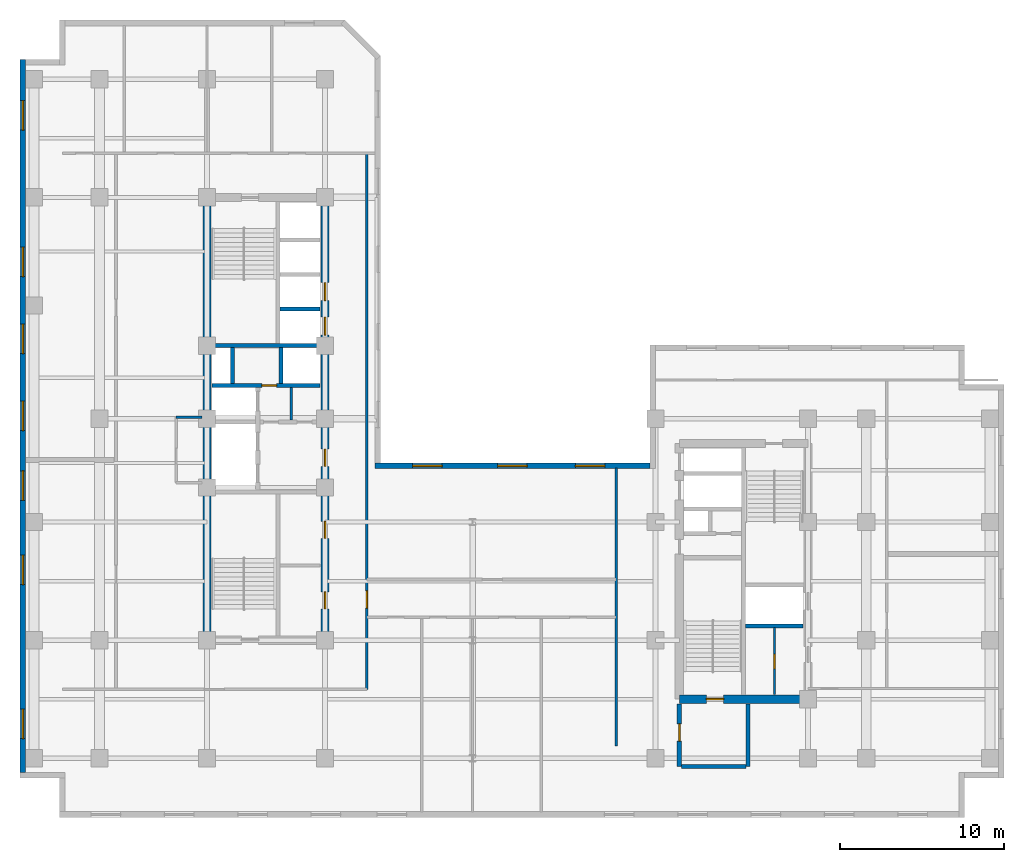
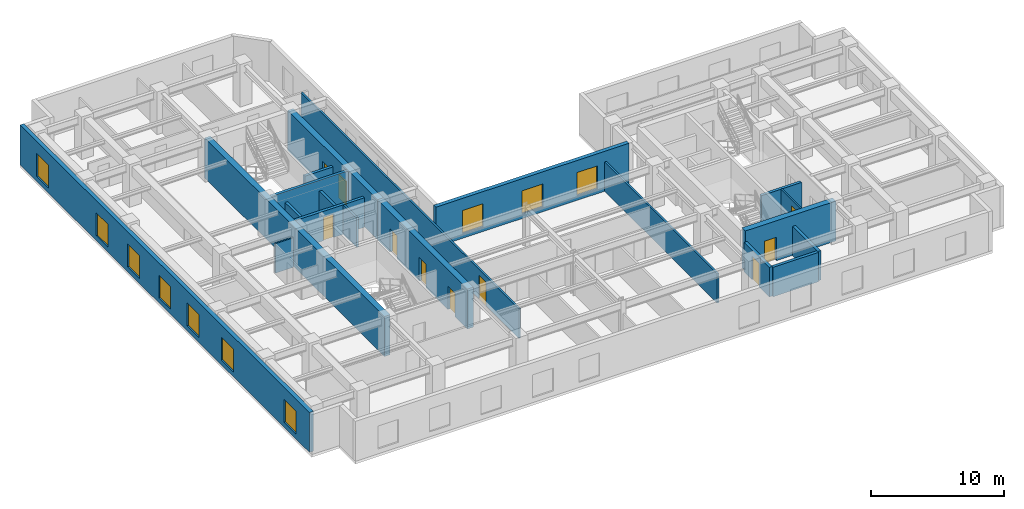
# One storey, part 4 of 9: 20 walls, 10 doors, 10 windows, 20 openings.
"""IFC4 building model written with IfcOpenShell, lengths in metres."""

from ifc_helpers import new_model, entity, si_unit, converted_unit, direction, frame, origin_with_axes, origin_2d_with_axis, place, context, subcontext, project, spatial, polyline, rectangle, outline, extrude, material, layer, layer_set, type_object, element, fill, save


model = new_model("IFC4")

# Units and contexts
model_context = context("Model", 3, precision=1e-05, world=origin_with_axes(), true_north=direction((0.0, 1.0)))
body_context = subcontext(model_context, "Body", "Model", "MODEL_VIEW")
ifc_project = project(units=[si_unit("LENGTHUNIT", "METRE"), si_unit("AREAUNIT", "SQUARE_METRE"), si_unit("VOLUMEUNIT", "CUBIC_METRE"), converted_unit("PLANEANGLEUNIT", "DEGREE", entity("IfcPlaneAngleMeasure", 0.017453292519943295), si_unit("PLANEANGLEUNIT", "RADIAN"), dimensions=[0, 0, 0, 0, 0, 0, 0]), si_unit("MASSUNIT", "GRAM", prefix="KILO"), si_unit("THERMODYNAMICTEMPERATUREUNIT", "KELVIN")], contexts=[model_context])

# Site, building, storey
site_placement = place(None, origin_with_axes())
site = spatial("IfcSite", under=ifc_project, at=site_placement, CompositionType="ELEMENT")
building_placement = place(site_placement, origin_with_axes())
building = spatial("IfcBuilding", under=site, at=building_placement, Name="Varnlund Millrace Tower", CompositionType="ELEMENT")
storey_placement = place(building_placement, frame((0.0, 0.0, 140.7), z_axis=(0.0, 0.0, 1.0), x_axis=(1.0, 0.0, 0.0)))
storey = spatial("IfcBuildingStorey", under=building, at=storey_placement, Name="L34", CompositionType="ELEMENT", Elevation=140.7)

# Wall
ifc_material_1 = material(Name="Concrete C70/85", Category="concrete")
ifc_layer_1 = layer(ifc_material_1, 0.5, Name="Concrete C70/85")
ifc_layer_set_1 = layer_set([ifc_layer_1], Name="Concrete C70/85")
wall_type_1 = type_object("IfcWallType", Name="Type-CoreWall-Shear-500-C70", PredefinedType="SHEAR", material=ifc_layer_set_1)
wall_1_placement = place(storey_placement, frame((11.4, 10.8, 0.0), z_axis=(0.0, 0.0, 1.0), x_axis=(0.0, 1.0, 0.0)))
element("IfcWall", 1, at=wall_1_placement, inside=storey, type_object=wall_type_1, Name="Type-CoreWall-Shear-500-C70", PredefinedType="SHEAR", context=body_context, shape_type="SweptSolid", body=[
    extrude(outline(polyline([(0.0, -0.25), (27.0, -0.25), (27.0, 0.25), (0.0, 0.25), (0.0, -0.25)])), origin_with_axes(), (0.0, 0.0, 1.0), 3.66),
])

# Wall, openings, doors
wall_2_placement = place(storey_placement, frame((18.6, 10.8, 0.0), z_axis=(0.0, 0.0, 1.0), x_axis=(0.0, 1.0, 0.0)))
wall_2 = element("IfcWall", 2, at=wall_2_placement, inside=storey, type_object=wall_type_1, Name="Type-CoreWall-Shear-500-C70", PredefinedType="SHEAR", context=body_context, shape_type="SweptSolid", body=[
    extrude(outline(polyline([(0.0, -0.25), (13.5, -0.25), (13.5, 0.25), (0.0, 0.25), (0.0, -0.25)])), origin_with_axes(), (0.0, 0.0, 1.0), 3.66),
])
opening_1_placement = place(wall_2_placement, frame((11.125, 0.0, 0.0), z_axis=(0.0, 0.0, 1.0), x_axis=(1.0, 0.0, 0.0)))
opening_1 = element("IfcOpeningElement", 3, at=opening_1_placement, cuts=wall_2, Name="Opening L34:DR-FFLOB-A", PredefinedType="OPENING", context=body_context, shape_type="SweptSolid", body=[
    extrude(rectangle(XDim=1.05, YDim=0.52, at=origin_2d_with_axis()), origin_with_axes(), (0.0, 0.0, 1.0), 2.15),
])
opening_2_placement = place(wall_2_placement, frame((2.425, 0.0, 0.0), z_axis=(0.0, 0.0, 1.0), x_axis=(1.0, 0.0, 0.0)))
opening_2 = element("IfcOpeningElement", 4, at=opening_2_placement, cuts=wall_2, Name="Opening L34:DR-RECL-A1-1", PredefinedType="OPENING", context=body_context, shape_type="SweptSolid", body=[
    extrude(rectangle(XDim=1.05, YDim=0.52, at=origin_2d_with_axis()), origin_with_axes(), (0.0, 0.0, 1.0), 2.15),
])
opening_3_placement = place(wall_2_placement, frame((6.725, 0.0, 0.0), z_axis=(0.0, 0.0, 1.0), x_axis=(1.0, 0.0, 0.0)))
opening_3 = element("IfcOpeningElement", 5, at=opening_3_placement, cuts=wall_2, Name="Opening L34:DR-RECL-A1-2", PredefinedType="OPENING", context=body_context, shape_type="SweptSolid", body=[
    extrude(rectangle(XDim=1.05, YDim=0.52, at=origin_2d_with_axis()), origin_with_axes(), (0.0, 0.0, 1.0), 2.15),
])
ifc_material_2 = material(Name="Smoke-barrier hollow steel fire door", Category="steel")
door_type_1 = type_object("IfcDoorType", Name="Type-FireDoor-Lobby-1050X2150", OperationType="NOTDEFINED", PredefinedType="DOOR", material=ifc_material_2)
door_1_placement = place(wall_2_placement, frame((11.125, 0.0, 0.0), z_axis=(0.0, 0.0, 1.0), x_axis=(1.0, 0.0, 0.0)))
door_1 = element("IfcDoor", 6, at=door_1_placement, inside=storey, type_object=door_type_1, Name="Type-FireDoor-Lobby-1050X2150", OperationType="SINGLE_SWING_LEFT", OverallHeight=2.15, OverallWidth=1.05, PredefinedType="DOOR", context=body_context, shape_type="SweptSolid", body=[
    extrude(rectangle(XDim=1.05, YDim=0.09, at=origin_2d_with_axis()), origin_with_axes(), (0.0, 0.0, 1.0), 2.15),
])
fill(opening_1, door_1)
door_2_placement = place(wall_2_placement, frame((2.425, 0.0, 0.0), z_axis=(0.0, 0.0, 1.0), x_axis=(1.0, 0.0, 0.0)))
door_2 = element("IfcDoor", 7, at=door_2_placement, inside=storey, type_object=door_type_1, Name="Type-FireDoor-Lobby-1050X2150", OperationType="SINGLE_SWING_LEFT", OverallHeight=2.15, OverallWidth=1.05, PredefinedType="DOOR", context=body_context, shape_type="SweptSolid", body=[
    extrude(rectangle(XDim=1.05, YDim=0.09, at=origin_2d_with_axis()), origin_with_axes(), (0.0, 0.0, 1.0), 2.15),
])
fill(opening_2, door_2)
door_3_placement = place(wall_2_placement, frame((6.725, 0.0, 0.0), z_axis=(0.0, 0.0, 1.0), x_axis=(1.0, 0.0, 0.0)))
door_3 = element("IfcDoor", 8, at=door_3_placement, inside=storey, type_object=door_type_1, Name="Type-FireDoor-Lobby-1050X2150", OperationType="SINGLE_SWING_RIGHT", OverallHeight=2.15, OverallWidth=1.05, PredefinedType="DOOR", context=body_context, shape_type="SweptSolid", body=[
    extrude(rectangle(XDim=1.05, YDim=0.09, at=origin_2d_with_axis()), origin_with_axes(), (0.0, 0.0, 1.0), 2.15),
])
fill(opening_3, door_3)

wall_3_placement = place(storey_placement, frame((18.6, 24.3, 0.0), z_axis=(0.0, 0.0, 1.0), x_axis=(0.0, 1.0, 0.0)))
wall_3 = element("IfcWall", 9, at=wall_3_placement, inside=storey, type_object=wall_type_1, Name="Type-CoreWall-Shear-500-C70", PredefinedType="SHEAR", context=body_context, shape_type="SweptSolid", body=[
    extrude(outline(polyline([(0.0, -0.25), (13.5, -0.25), (13.5, 0.25), (0.0, 0.25), (0.0, -0.25)])), origin_with_axes(), (0.0, 0.0, 1.0), 3.66),
])
opening_4_placement = place(wall_3_placement, frame((5.65, 0.0, 0.0), z_axis=(0.0, 0.0, 1.0), x_axis=(1.0, 0.0, 0.0)))
opening_4 = element("IfcOpeningElement", 10, at=opening_4_placement, cuts=wall_3, Name="Opening L34:LD-ELV-M1", PredefinedType="OPENING", context=body_context, shape_type="SweptSolid", body=[
    extrude(rectangle(XDim=1.1, YDim=0.52, at=origin_2d_with_axis()), origin_with_axes(), (0.0, 0.0, 1.0), 2.15),
])
opening_5_placement = place(wall_3_placement, frame((7.75, 0.0, 0.0), z_axis=(0.0, 0.0, 1.0), x_axis=(1.0, 0.0, 0.0)))
opening_5 = element("IfcOpeningElement", 11, at=opening_5_placement, cuts=wall_3, Name="Opening L34:LD-ELV-M2", PredefinedType="OPENING", context=body_context, shape_type="SweptSolid", body=[
    extrude(rectangle(XDim=1.1, YDim=0.52, at=origin_2d_with_axis()), origin_with_axes(), (0.0, 0.0, 1.0), 2.15),
])
ifc_material_3 = material(Name="Stainless and architectural bronze sliding landing door")
door_type_2 = type_object("IfcDoorType", Name="Type-LiftLandingDoor-1100X2150", OperationType="NOTDEFINED", PredefinedType="DOOR", material=ifc_material_3)
door_4_placement = place(wall_3_placement, frame((5.65, 0.0, 0.0), z_axis=(0.0, 0.0, 1.0), x_axis=(1.0, 0.0, 0.0)))
door_4 = element("IfcDoor", 12, at=door_4_placement, inside=storey, type_object=door_type_2, Name="Type-LiftLandingDoor-1100X2150", OperationType="SLIDING_TO_LEFT", OverallHeight=2.15, OverallWidth=1.1, PredefinedType="DOOR", context=body_context, shape_type="SweptSolid", body=[
    extrude(rectangle(XDim=1.1, YDim=0.09, at=origin_2d_with_axis()), origin_with_axes(), (0.0, 0.0, 1.0), 2.15),
])
fill(opening_4, door_4)
door_5_placement = place(wall_3_placement, frame((7.75, 0.0, 0.0), z_axis=(0.0, 0.0, 1.0), x_axis=(1.0, 0.0, 0.0)))
door_5 = element("IfcDoor", 13, at=door_5_placement, inside=storey, type_object=door_type_2, Name="Type-LiftLandingDoor-1100X2150", OperationType="SLIDING_TO_RIGHT", OverallHeight=2.15, OverallWidth=1.1, PredefinedType="DOOR", context=body_context, shape_type="SweptSolid", body=[
    extrude(rectangle(XDim=1.1, YDim=0.09, at=origin_2d_with_axis()), origin_with_axes(), (0.0, 0.0, 1.0), 2.15),
])
fill(opening_5, door_5)

# Wall, opening, door
wall_4_placement = place(storey_placement, frame((40.2, 7.2, 0.0), z_axis=(0.0, 0.0, 1.0), x_axis=(1.0, 0.0, 0.0)))
wall_4 = element("IfcWall", 14, at=wall_4_placement, inside=storey, type_object=wall_type_1, Name="Type-CoreWall-Shear-500-C70", PredefinedType="SHEAR", context=body_context, shape_type="SweptSolid", body=[
    extrude(outline(polyline([(0.0, -0.25), (7.85, -0.25), (7.85, 0.25), (0.0, 0.25), (0.0, -0.25)])), origin_with_axes(), (0.0, 0.0, 1.0), 3.66),
])
opening_6_placement = place(wall_4_placement, frame((2.175, 0.0, 0.0), z_axis=(0.0, 0.0, 1.0), x_axis=(1.0, 0.0, 0.0)))
opening_6 = element("IfcOpeningElement", 15, at=opening_6_placement, cuts=wall_4, Name="Opening L34:DR-STB1", PredefinedType="OPENING", context=body_context, shape_type="SweptSolid", body=[
    extrude(rectangle(XDim=1.05, YDim=0.52, at=origin_2d_with_axis()), origin_with_axes(), (0.0, 0.0, 1.0), 2.15),
])
ifc_material_4 = material(Name="Fire-rated hollow steel door", Category="steel")
door_type_3 = type_object("IfcDoorType", Name="Type-FireDoor-Stair-1050X2150", OperationType="NOTDEFINED", PredefinedType="DOOR", material=ifc_material_4)
door_6_placement = place(wall_4_placement, frame((2.175, 0.0, 0.0), z_axis=(0.0, 0.0, 1.0), x_axis=(1.0, 0.0, 0.0)))
door_6 = element("IfcDoor", 16, at=door_6_placement, inside=storey, type_object=door_type_3, Name="Type-FireDoor-Stair-1050X2150", OperationType="SINGLE_SWING_LEFT", OverallHeight=2.15, OverallWidth=1.05, PredefinedType="DOOR", context=body_context, shape_type="SweptSolid", body=[
    extrude(rectangle(XDim=1.05, YDim=0.09, at=origin_2d_with_axis()), origin_with_axes(), (0.0, 0.0, 1.0), 2.15),
])
fill(opening_6, door_6)

# Wall, openings, windows
ifc_material_5 = material(Name="Precast concrete C50/60", Category="concrete")
ifc_layer_2 = layer(ifc_material_5, 0.34, Name="Precast concrete C50/60")
ifc_layer_set_2 = layer_set([ifc_layer_2], Name="Precast concrete C50/60")
wall_type_2 = type_object("IfcWallType", Name="Type-ExtWall-Precast-Upper-340", PredefinedType="SOLIDWALL", material=ifc_layer_set_2)
wall_5_placement = place(storey_placement, frame((0.17, 2.74, 0.0), z_axis=(0.0, 0.0, 1.0), x_axis=(0.0, 1.0, 0.0)))
wall_5 = element("IfcWall", 17, at=wall_5_placement, inside=storey, type_object=wall_type_2, Name="Type-ExtWall-Precast-Upper-340", PredefinedType="SOLIDWALL", context=body_context, shape_type="SweptSolid", body=[
    extrude(outline(polyline([(0.0, -0.17), (43.46, -0.17), (43.46, 0.17), (0.0, 0.17), (0.0, -0.17)])), origin_with_axes(), (0.0, 0.0, 1.0), 3.66),
])
opening_7_placement = place(wall_5_placement, frame((2.948, 0.0, 0.45), z_axis=(0.0, 0.0, 1.0), x_axis=(1.0, 0.0, 0.0)))
opening_7 = element("IfcOpeningElement", 18, at=opening_7_placement, cuts=wall_5, Name="Opening L34:WN-18", PredefinedType="OPENING", context=body_context, shape_type="SweptSolid", body=[
    extrude(rectangle(XDim=1.8, YDim=0.36, at=origin_2d_with_axis()), origin_with_axes(), (0.0, 0.0, 1.0), 2.1),
])
opening_8_placement = place(wall_5_placement, frame((12.339, 0.0, 0.45), z_axis=(0.0, 0.0, 1.0), x_axis=(1.0, 0.0, 0.0)))
opening_8 = element("IfcOpeningElement", 19, at=opening_8_placement, cuts=wall_5, Name="Opening L34:WN-19", PredefinedType="OPENING", context=body_context, shape_type="SweptSolid", body=[
    extrude(rectangle(XDim=1.8, YDim=0.36, at=origin_2d_with_axis()), origin_with_axes(), (0.0, 0.0, 1.0), 2.1),
])
opening_9_placement = place(wall_5_placement, frame((17.484, 0.0, 0.45), z_axis=(0.0, 0.0, 1.0), x_axis=(1.0, 0.0, 0.0)))
opening_9 = element("IfcOpeningElement", 20, at=opening_9_placement, cuts=wall_5, Name="Opening L34:WN-20", PredefinedType="OPENING", context=body_context, shape_type="SweptSolid", body=[
    extrude(rectangle(XDim=1.8, YDim=0.36, at=origin_2d_with_axis()), origin_with_axes(), (0.0, 0.0, 1.0), 2.1),
])
opening_10_placement = place(wall_5_placement, frame((21.73, 0.0, 0.45), z_axis=(0.0, 0.0, 1.0), x_axis=(1.0, 0.0, 0.0)))
opening_10 = element("IfcOpeningElement", 21, at=opening_10_placement, cuts=wall_5, Name="Opening L34:WN-21", PredefinedType="OPENING", context=body_context, shape_type="SweptSolid", body=[
    extrude(rectangle(XDim=1.8, YDim=0.36, at=origin_2d_with_axis()), origin_with_axes(), (0.0, 0.0, 1.0), 2.1),
])
opening_11_placement = place(wall_5_placement, frame((26.426, 0.0, 0.45), z_axis=(0.0, 0.0, 1.0), x_axis=(1.0, 0.0, 0.0)))
opening_11 = element("IfcOpeningElement", 22, at=opening_11_placement, cuts=wall_5, Name="Opening L34:WN-22", PredefinedType="OPENING", context=body_context, shape_type="SweptSolid", body=[
    extrude(rectangle(XDim=1.8, YDim=0.36, at=origin_2d_with_axis()), origin_with_axes(), (0.0, 0.0, 1.0), 2.1),
])
opening_12_placement = place(wall_5_placement, frame((31.121, 0.0, 0.45), z_axis=(0.0, 0.0, 1.0), x_axis=(1.0, 0.0, 0.0)))
opening_12 = element("IfcOpeningElement", 23, at=opening_12_placement, cuts=wall_5, Name="Opening L34:WN-23", PredefinedType="OPENING", context=body_context, shape_type="SweptSolid", body=[
    extrude(rectangle(XDim=1.8, YDim=0.36, at=origin_2d_with_axis()), origin_with_axes(), (0.0, 0.0, 1.0), 2.1),
])
opening_13_placement = place(wall_5_placement, frame((40.062, 0.0, 0.45), z_axis=(0.0, 0.0, 1.0), x_axis=(1.0, 0.0, 0.0)))
opening_13 = element("IfcOpeningElement", 24, at=opening_13_placement, cuts=wall_5, Name="Opening L34:WN-24", PredefinedType="OPENING", context=body_context, shape_type="SweptSolid", body=[
    extrude(rectangle(XDim=1.8, YDim=0.36, at=origin_2d_with_axis()), origin_with_axes(), (0.0, 0.0, 1.0), 2.1),
])
ifc_material_6 = material(Name="Argon low-e triple glazing in thermally broken bronze frame", Category="glass")
window_type = type_object("IfcWindowType", Name="Type-Window-Punched-1800X2100", PartitioningType="SINGLE_PANEL", PredefinedType="WINDOW", material=ifc_material_6)
window_1_placement = place(wall_5_placement, frame((2.948, 0.0, 0.45), z_axis=(0.0, 0.0, 1.0), x_axis=(1.0, 0.0, 0.0)))
window_1 = element("IfcWindow", 25, at=window_1_placement, inside=storey, type_object=window_type, Name="Type-Window-Punched-1800X2100", OverallHeight=2.1, OverallWidth=1.8, PredefinedType="WINDOW", context=body_context, shape_type="SweptSolid", body=[
    extrude(rectangle(XDim=1.8, YDim=0.09, at=origin_2d_with_axis()), origin_with_axes(), (0.0, 0.0, 1.0), 2.1),
])
fill(opening_7, window_1)
window_2_placement = place(wall_5_placement, frame((12.339, 0.0, 0.45), z_axis=(0.0, 0.0, 1.0), x_axis=(1.0, 0.0, 0.0)))
window_2 = element("IfcWindow", 26, at=window_2_placement, inside=storey, type_object=window_type, Name="Type-Window-Punched-1800X2100", OverallHeight=2.1, OverallWidth=1.8, PredefinedType="WINDOW", context=body_context, shape_type="SweptSolid", body=[
    extrude(rectangle(XDim=1.8, YDim=0.09, at=origin_2d_with_axis()), origin_with_axes(), (0.0, 0.0, 1.0), 2.1),
])
fill(opening_8, window_2)
window_3_placement = place(wall_5_placement, frame((17.484, 0.0, 0.45), z_axis=(0.0, 0.0, 1.0), x_axis=(1.0, 0.0, 0.0)))
window_3 = element("IfcWindow", 27, at=window_3_placement, inside=storey, type_object=window_type, Name="Type-Window-Punched-1800X2100", OverallHeight=2.1, OverallWidth=1.8, PredefinedType="WINDOW", context=body_context, shape_type="SweptSolid", body=[
    extrude(rectangle(XDim=1.8, YDim=0.09, at=origin_2d_with_axis()), origin_with_axes(), (0.0, 0.0, 1.0), 2.1),
])
fill(opening_9, window_3)
window_4_placement = place(wall_5_placement, frame((21.73, 0.0, 0.45), z_axis=(0.0, 0.0, 1.0), x_axis=(1.0, 0.0, 0.0)))
window_4 = element("IfcWindow", 28, at=window_4_placement, inside=storey, type_object=window_type, Name="Type-Window-Punched-1800X2100", OverallHeight=2.1, OverallWidth=1.8, PredefinedType="WINDOW", context=body_context, shape_type="SweptSolid", body=[
    extrude(rectangle(XDim=1.8, YDim=0.09, at=origin_2d_with_axis()), origin_with_axes(), (0.0, 0.0, 1.0), 2.1),
])
fill(opening_10, window_4)
window_5_placement = place(wall_5_placement, frame((26.426, 0.0, 0.45), z_axis=(0.0, 0.0, 1.0), x_axis=(1.0, 0.0, 0.0)))
window_5 = element("IfcWindow", 29, at=window_5_placement, inside=storey, type_object=window_type, Name="Type-Window-Punched-1800X2100", OverallHeight=2.1, OverallWidth=1.8, PredefinedType="WINDOW", context=body_context, shape_type="SweptSolid", body=[
    extrude(rectangle(XDim=1.8, YDim=0.09, at=origin_2d_with_axis()), origin_with_axes(), (0.0, 0.0, 1.0), 2.1),
])
fill(opening_11, window_5)
window_6_placement = place(wall_5_placement, frame((31.121, 0.0, 0.45), z_axis=(0.0, 0.0, 1.0), x_axis=(1.0, 0.0, 0.0)))
window_6 = element("IfcWindow", 30, at=window_6_placement, inside=storey, type_object=window_type, Name="Type-Window-Punched-1800X2100", OverallHeight=2.1, OverallWidth=1.8, PredefinedType="WINDOW", context=body_context, shape_type="SweptSolid", body=[
    extrude(rectangle(XDim=1.8, YDim=0.09, at=origin_2d_with_axis()), origin_with_axes(), (0.0, 0.0, 1.0), 2.1),
])
fill(opening_12, window_6)
window_7_placement = place(wall_5_placement, frame((40.062, 0.0, 0.45), z_axis=(0.0, 0.0, 1.0), x_axis=(1.0, 0.0, 0.0)))
window_7 = element("IfcWindow", 31, at=window_7_placement, inside=storey, type_object=window_type, Name="Type-Window-Punched-1800X2100", OverallHeight=2.1, OverallWidth=1.8, PredefinedType="WINDOW", context=body_context, shape_type="SweptSolid", body=[
    extrude(rectangle(XDim=1.8, YDim=0.09, at=origin_2d_with_axis()), origin_with_axes(), (0.0, 0.0, 1.0), 2.1),
])
fill(opening_13, window_7)

wall_6_placement = place(storey_placement, frame((21.649, 21.43, 0.0), z_axis=(0.0, 0.0, 1.0), x_axis=(1.0, 0.0, 0.0)))
wall_6 = element("IfcWall", 32, at=wall_6_placement, inside=storey, type_object=wall_type_2, Name="Type-ExtWall-Precast-Upper-340", PredefinedType="SOLIDWALL", context=body_context, shape_type="SweptSolid", body=[
    extrude(outline(polyline([(0.0, -0.17), (16.751, -0.17), (16.751, 0.17), (0.0, 0.17), (0.0, -0.17)])), origin_with_axes(), (0.0, 0.0, 1.0), 3.66),
])
opening_14_placement = place(wall_6_placement, frame((3.192, 0.0, 0.45), z_axis=(0.0, 0.0, 1.0), x_axis=(1.0, 0.0, 0.0)))
opening_14 = element("IfcOpeningElement", 33, at=opening_14_placement, cuts=wall_6, Name="Opening L34:WN-31", PredefinedType="OPENING", context=body_context, shape_type="SweptSolid", body=[
    extrude(rectangle(XDim=1.8, YDim=0.36, at=origin_2d_with_axis()), origin_with_axes(), (0.0, 0.0, 1.0), 2.1),
])
opening_15_placement = place(wall_6_placement, frame((8.375, 0.0, 0.45), z_axis=(0.0, 0.0, 1.0), x_axis=(1.0, 0.0, 0.0)))
opening_15 = element("IfcOpeningElement", 34, at=opening_15_placement, cuts=wall_6, Name="Opening L34:WN-32", PredefinedType="OPENING", context=body_context, shape_type="SweptSolid", body=[
    extrude(rectangle(XDim=1.8, YDim=0.36, at=origin_2d_with_axis()), origin_with_axes(), (0.0, 0.0, 1.0), 2.1),
])
opening_16_placement = place(wall_6_placement, frame((13.109, 0.0, 0.45), z_axis=(0.0, 0.0, 1.0), x_axis=(1.0, 0.0, 0.0)))
opening_16 = element("IfcOpeningElement", 35, at=opening_16_placement, cuts=wall_6, Name="Opening L34:WN-33", PredefinedType="OPENING", context=body_context, shape_type="SweptSolid", body=[
    extrude(rectangle(XDim=1.8, YDim=0.36, at=origin_2d_with_axis()), origin_with_axes(), (0.0, 0.0, 1.0), 2.1),
])
window_8_placement = place(wall_6_placement, frame((3.192, 0.0, 0.45), z_axis=(0.0, 0.0, 1.0), x_axis=(1.0, 0.0, 0.0)))
window_8 = element("IfcWindow", 36, at=window_8_placement, inside=storey, type_object=window_type, Name="Type-Window-Punched-1800X2100", OverallHeight=2.1, OverallWidth=1.8, PredefinedType="WINDOW", context=body_context, shape_type="SweptSolid", body=[
    extrude(rectangle(XDim=1.8, YDim=0.09, at=origin_2d_with_axis()), origin_with_axes(), (0.0, 0.0, 1.0), 2.1),
])
fill(opening_14, window_8)
window_9_placement = place(wall_6_placement, frame((8.375, 0.0, 0.45), z_axis=(0.0, 0.0, 1.0), x_axis=(1.0, 0.0, 0.0)))
window_9 = element("IfcWindow", 37, at=window_9_placement, inside=storey, type_object=window_type, Name="Type-Window-Punched-1800X2100", OverallHeight=2.1, OverallWidth=1.8, PredefinedType="WINDOW", context=body_context, shape_type="SweptSolid", body=[
    extrude(rectangle(XDim=1.8, YDim=0.09, at=origin_2d_with_axis()), origin_with_axes(), (0.0, 0.0, 1.0), 2.1),
])
fill(opening_15, window_9)
window_10_placement = place(wall_6_placement, frame((13.109, 0.0, 0.45), z_axis=(0.0, 0.0, 1.0), x_axis=(1.0, 0.0, 0.0)))
window_10 = element("IfcWindow", 38, at=window_10_placement, inside=storey, type_object=window_type, Name="Type-Window-Punched-1800X2100", OverallHeight=2.1, OverallWidth=1.8, PredefinedType="WINDOW", context=body_context, shape_type="SweptSolid", body=[
    extrude(rectangle(XDim=1.8, YDim=0.09, at=origin_2d_with_axis()), origin_with_axes(), (0.0, 0.0, 1.0), 2.1),
])
fill(opening_16, window_10)

# Wall
ifc_material_7 = material(Name="Fire-rated gypsum board on cold-formed steel framing", Category="steel")
ifc_layer_3 = layer(ifc_material_7, 0.16, Name="Fire-rated gypsum board on cold-formed steel framing")
ifc_layer_set_3 = layer_set([ifc_layer_3], Name="Fire-rated gypsum board on cold-formed steel framing")
wall_type_3 = type_object("IfcWallType", Name="Type-Partition-Corridor-160", PredefinedType="PARTITIONING", material=ifc_layer_set_3)
wall_7_placement = place(storey_placement, frame((16.55, 24.22, 0.0), z_axis=(0.0, 0.0, 1.0), x_axis=(0.0, 1.0, 0.0)))
element("IfcWall", 39, at=wall_7_placement, inside=storey, type_object=wall_type_3, Name="Type-Partition-Corridor-160", PredefinedType="PARTITIONING", context=body_context, shape_type="SweptSolid", body=[
    extrude(outline(polyline([(0.0, -0.08), (1.98, -0.08), (1.98, 0.08), (0.0, 0.08), (0.0, -0.08)])), origin_with_axes(), (0.0, 0.0, 1.0), 2.7),
])

# Wall, opening, door
wall_8_placement = place(storey_placement, frame((21.15, 7.8, 0.0), z_axis=(0.0, 0.0, 1.0), x_axis=(0.0, 1.0, 0.0)))
wall_8 = element("IfcWall", 40, at=wall_8_placement, inside=storey, type_object=wall_type_3, Name="Type-Partition-Corridor-160", PredefinedType="PARTITIONING", context=body_context, shape_type="SweptSolid", body=[
    extrude(outline(polyline([(0.0, -0.08), (32.7, -0.08), (32.7, 0.08), (0.0, 0.08), (0.0, -0.08)])), origin_with_axes(), (0.0, 0.0, 1.0), 2.7),
])
opening_17_placement = place(wall_8_placement, frame((5.475, 0.0, 0.0), z_axis=(0.0, 0.0, 1.0), x_axis=(1.0, 0.0, 0.0)))
opening_17 = element("IfcOpeningElement", 41, at=opening_17_placement, cuts=wall_8, Name="Opening L34:DR-KN-W", PredefinedType="OPENING", context=body_context, shape_type="SweptSolid", body=[
    extrude(rectangle(XDim=1.05, YDim=0.18, at=origin_2d_with_axis()), origin_with_axes(), (0.0, 0.0, 1.0), 2.15),
])
door_7_placement = place(wall_8_placement, frame((5.475, 0.0, 0.0), z_axis=(0.0, 0.0, 1.0), x_axis=(1.0, 0.0, 0.0)))
door_7 = element("IfcDoor", 42, at=door_7_placement, inside=storey, type_object=door_type_1, Name="Type-FireDoor-Lobby-1050X2150", OperationType="SINGLE_SWING_LEFT", OverallHeight=2.15, OverallWidth=1.05, PredefinedType="DOOR", context=body_context, shape_type="SweptSolid", body=[
    extrude(rectangle(XDim=1.05, YDim=0.09, at=origin_2d_with_axis()), origin_with_axes(), (0.0, 0.0, 1.0), 2.15),
])
fill(opening_17, door_7)

# Walls
wall_9_placement = place(storey_placement, frame((36.35, 4.35, 0.0), z_axis=(0.0, 0.0, 1.0), x_axis=(0.0, 1.0, 0.0)))
element("IfcWall", 43, at=wall_9_placement, inside=storey, type_object=wall_type_3, Name="Type-Partition-Corridor-160", PredefinedType="PARTITIONING", context=body_context, shape_type="SweptSolid", body=[
    extrude(outline(polyline([(0.0, -0.08), (16.95, -0.08), (16.95, 0.08), (0.0, 0.08), (0.0, -0.08)])), origin_with_axes(), (0.0, 0.0, 1.0), 2.7),
])
ifc_material_8 = material(Name="Moisture-resistant gypsum restroom partition", Category="gypsum")
ifc_layer_4 = layer(ifc_material_8, 0.14, Name="Moisture-resistant gypsum restroom partition")
ifc_layer_set_4 = layer_set([ifc_layer_4], Name="Moisture-resistant gypsum restroom partition")
wall_type_4 = type_object("IfcWallType", Name="Type-Partition-Wet-140", PredefinedType="PARTITIONING", material=ifc_layer_set_4)
wall_10_placement = place(storey_placement, frame((9.52, 24.4, 0.0), z_axis=(0.0, 0.0, 1.0), x_axis=(1.0, 0.0, 0.0)))
element("IfcWall", 44, at=wall_10_placement, inside=storey, type_object=wall_type_4, Name="Type-Partition-Wet-140", PredefinedType="PARTITIONING", context=body_context, shape_type="SweptSolid", body=[
    extrude(outline(polyline([(0.0, -0.07), (1.58, -0.07), (1.58, 0.07), (0.0, 0.07), (0.0, -0.07)])), origin_with_axes(), (0.0, 0.0, 1.0), 2.7),
])

# Wall, opening, door
wall_11_placement = place(storey_placement, frame((46.0, 7.5, 0.0), z_axis=(0.0, 0.0, 1.0), x_axis=(0.0, 1.0, 0.0)))
wall_11 = element("IfcWall", 45, at=wall_11_placement, inside=storey, type_object=wall_type_4, Name="Type-Partition-Wet-140", PredefinedType="PARTITIONING", context=body_context, shape_type="SweptSolid", body=[
    extrude(outline(polyline([(0.0, -0.07), (4.08, -0.07), (4.08, 0.07), (0.0, 0.07), (0.0, -0.07)])), origin_with_axes(), (0.0, 0.0, 1.0), 2.7),
])
opening_18_placement = place(wall_11_placement, frame((2.0, 0.0, 0.0), z_axis=(0.0, 0.0, 1.0), x_axis=(1.0, 0.0, 0.0)))
opening_18 = element("IfcOpeningElement", 46, at=opening_18_placement, cuts=wall_11, Name="Opening L34:DR-CB-WC1", PredefinedType="OPENING", context=body_context, shape_type="SweptSolid", body=[
    extrude(rectangle(XDim=0.9, YDim=0.16, at=origin_2d_with_axis()), origin_with_axes(), (0.0, 0.0, 1.0), 2.15),
])
ifc_material_9 = material(Name="Painted steel riser and closet door", Category="steel")
door_type_4 = type_object("IfcDoorType", Name="Type-IntDoor-Closet-900X2150", OperationType="NOTDEFINED", PredefinedType="DOOR", material=ifc_material_9)
door_8_placement = place(wall_11_placement, frame((2.0, 0.0, 0.0), z_axis=(0.0, 0.0, 1.0), x_axis=(1.0, 0.0, 0.0)))
door_8 = element("IfcDoor", 47, at=door_8_placement, inside=storey, type_object=door_type_4, Name="Type-IntDoor-Closet-900X2150", OperationType="SINGLE_SWING_LEFT", OverallHeight=2.15, OverallWidth=0.9, PredefinedType="DOOR", context=body_context, shape_type="SweptSolid", body=[
    extrude(rectangle(XDim=0.9, YDim=0.084, at=origin_2d_with_axis()), origin_with_axes(), (0.0, 0.0, 1.0), 2.15),
])
fill(opening_18, door_8)

ifc_material_10 = material(Name="Concrete C60/75", Category="concrete")
ifc_layer_5 = layer(ifc_material_10, 0.25, Name="Concrete C60/75")
ifc_layer_set_5 = layer_set([ifc_layer_5], Name="Concrete C60/75")
wall_type_5 = type_object("IfcWallType", Name="Type-ShaftWall-Fire-250", PredefinedType="SOLIDWALL", material=ifc_layer_set_5)
wall_12_placement = place(storey_placement, frame((11.7, 26.325, 0.0), z_axis=(0.0, 0.0, 1.0), x_axis=(1.0, 0.0, 0.0)))
wall_12 = element("IfcWall", 48, at=wall_12_placement, inside=storey, type_object=wall_type_5, Name="Type-ShaftWall-Fire-250", PredefinedType="SOLIDWALL", context=body_context, shape_type="SweptSolid", body=[
    extrude(outline(polyline([(0.0, -0.125), (6.6, -0.125), (6.6, 0.125), (0.0, 0.125), (0.0, -0.125)])), origin_with_axes(), (0.0, 0.0, 1.0), 2.7),
])
opening_19_placement = place(wall_12_placement, frame((3.5, 0.0, 0.0), z_axis=(0.0, 0.0, 1.0), x_axis=(1.0, 0.0, 0.0)))
opening_19 = element("IfcOpeningElement", 49, at=opening_19_placement, cuts=wall_12, Name="Opening L34:DR-CA-ELC", PredefinedType="OPENING", context=body_context, shape_type="SweptSolid", body=[
    extrude(rectangle(XDim=0.9, YDim=0.27, at=origin_2d_with_axis()), origin_with_axes(), (0.0, 0.0, 1.0), 2.15),
])
ifc_material_11 = material(Name="Fire-rated hollow steel service closet door", Category="steel")
door_type_5 = type_object("IfcDoorType", Name="Type-FireDoor-Closet-900X2150", OperationType="NOTDEFINED", PredefinedType="DOOR", material=ifc_material_11)
door_9_placement = place(wall_12_placement, frame((3.5, 0.0, 0.0), z_axis=(0.0, 0.0, 1.0), x_axis=(1.0, 0.0, 0.0)))
door_9 = element("IfcDoor", 50, at=door_9_placement, inside=storey, type_object=door_type_5, Name="Type-FireDoor-Closet-900X2150", OperationType="SINGLE_SWING_LEFT", OverallHeight=2.15, OverallWidth=0.9, PredefinedType="DOOR", context=body_context, shape_type="SweptSolid", body=[
    extrude(rectangle(XDim=0.9, YDim=0.09, at=origin_2d_with_axis()), origin_with_axes(), (0.0, 0.0, 1.0), 2.15),
])
fill(opening_19, door_9)

# Walls
for number, where, z_axis, x_axis, name in (
    (51, (12.96, 26.45, 0.0), (0.0, 0.0, 1.0), (0.0, 1.0, 0.0), "Type-ShaftWall-Fire-250"),
    (52, (15.925, 26.45, 0.0), (0.0, 0.0, 1.0), (0.0, 1.0, 0.0), "Type-ShaftWall-Fire-250"),
):
    element("IfcWall", number, at=place(storey_placement, frame(where, z_axis=z_axis, x_axis=x_axis)), inside=storey, type_object=wall_type_5, Name=name, PredefinedType="SOLIDWALL", context=body_context, shape_type="SweptSolid", body=[
        extrude(outline(polyline([(0.0, -0.125), (2.2, -0.125), (2.2, 0.125), (0.0, 0.125), (0.0, -0.125)])), origin_with_axes(), (0.0, 0.0, 1.0), 2.7),
    ])

# Wall, opening, door
wall_13_placement = place(storey_placement, frame((40.2, 3.1, 0.0), z_axis=(0.0, 0.0, 1.0), x_axis=(0.0, 1.0, 0.0)))
wall_13 = element("IfcWall", 53, at=wall_13_placement, inside=storey, type_object=wall_type_5, Name="Type-ShaftWall-Fire-250", PredefinedType="SOLIDWALL", context=body_context, shape_type="SweptSolid", body=[
    extrude(outline(polyline([(0.0, -0.125), (3.8, -0.125), (3.8, 0.125), (0.0, 0.125), (0.0, -0.125)])), origin_with_axes(), (0.0, 0.0, 1.0), 2.7),
])
opening_20_placement = place(wall_13_placement, frame((2.075, 0.0, 0.0), z_axis=(0.0, 0.0, 1.0), x_axis=(1.0, 0.0, 0.0)))
opening_20 = element("IfcOpeningElement", 54, at=opening_20_placement, cuts=wall_13, Name="Opening L34:DR-FFLOB-B", PredefinedType="OPENING", context=body_context, shape_type="SweptSolid", body=[
    extrude(rectangle(XDim=1.05, YDim=0.27, at=origin_2d_with_axis()), origin_with_axes(), (0.0, 0.0, 1.0), 2.15),
])
door_10_placement = place(wall_13_placement, frame((2.075, 0.0, 0.0), z_axis=(0.0, 0.0, 1.0), x_axis=(1.0, 0.0, 0.0)))
door_10 = element("IfcDoor", 55, at=door_10_placement, inside=storey, type_object=door_type_1, Name="Type-FireDoor-Lobby-1050X2150", OperationType="SINGLE_SWING_LEFT", OverallHeight=2.15, OverallWidth=1.05, PredefinedType="DOOR", context=body_context, shape_type="SweptSolid", body=[
    extrude(rectangle(XDim=1.05, YDim=0.09, at=origin_2d_with_axis()), origin_with_axes(), (0.0, 0.0, 1.0), 2.15),
])
fill(opening_20, door_10)

# Walls
wall_14_placement = place(storey_placement, frame((40.325, 3.1, 0.0), z_axis=(0.0, 0.0, 1.0), x_axis=(1.0, 0.0, 0.0)))
element("IfcWall", 56, at=wall_14_placement, inside=storey, type_object=wall_type_5, Name="Type-ShaftWall-Fire-250", PredefinedType="SOLIDWALL", context=body_context, shape_type="SweptSolid", body=[
    extrude(outline(polyline([(0.0, -0.125), (3.95, -0.125), (3.95, 0.125), (0.0, 0.125), (0.0, -0.125)])), origin_with_axes(), (0.0, 0.0, 1.0), 2.7),
])
wall_15_placement = place(storey_placement, frame((44.4, 3.1, 0.0), z_axis=(0.0, 0.0, 1.0), x_axis=(0.0, 1.0, 0.0)))
element("IfcWall", 57, at=wall_15_placement, inside=storey, type_object=wall_type_5, Name="Type-ShaftWall-Fire-250", PredefinedType="SOLIDWALL", context=body_context, shape_type="SweptSolid", body=[
    extrude(outline(polyline([(0.0, -0.125), (3.8, -0.125), (3.8, 0.125), (0.0, 0.125), (0.0, -0.125)])), origin_with_axes(), (0.0, 0.0, 1.0), 2.7),
])
wall_16_placement = place(storey_placement, frame((15.84, 31.0, 0.0), z_axis=(0.0, 0.0, 1.0), x_axis=(1.0, 0.0, 0.0)))
element("IfcWall", 58, at=wall_16_placement, inside=storey, type_object=wall_type_5, Name="Type-ShaftWall-Fire-250", PredefinedType="SOLIDWALL", context=body_context, shape_type="SweptSolid", body=[
    extrude(outline(polyline([(0.0, -0.125), (2.46, -0.125), (2.46, 0.125), (0.0, 0.125), (0.0, -0.125)])), origin_with_axes(), (0.0, 0.0, 1.0), 2.7),
])
wall_17_placement = place(storey_placement, frame((44.25, 11.66, 0.0), z_axis=(0.0, 0.0, 1.0), x_axis=(1.0, 0.0, 0.0)))
element("IfcWall", 59, at=wall_17_placement, inside=storey, type_object=wall_type_5, Name="Type-ShaftWall-Fire-250", PredefinedType="SOLIDWALL", context=body_context, shape_type="SweptSolid", body=[
    extrude(outline(polyline([(0.0, -0.125), (3.5, -0.125), (3.5, 0.125), (0.0, 0.125), (0.0, -0.125)])), origin_with_axes(), (0.0, 0.0, 1.0), 2.7),
])
wall_type_6 = type_object("IfcWallType", Name="Type-StairWall-Shear-250", PredefinedType="SHEAR", material=ifc_layer_set_5)
wall_18_placement = place(storey_placement, frame((11.65, 28.775, 0.0), z_axis=(0.0, 0.0, 1.0), x_axis=(1.0, 0.0, 0.0)))
element("IfcWall", 60, at=wall_18_placement, inside=storey, type_object=wall_type_6, Name="Type-StairWall-Shear-250", PredefinedType="SHEAR", context=body_context, shape_type="SweptSolid", body=[
    extrude(outline(polyline([(0.0, -0.125), (6.7, -0.125), (6.7, 0.125), (0.0, 0.125), (0.0, -0.125)])), origin_with_axes(), (0.0, 0.0, 1.0), 3.66),
])

save(model, "model.ifc")
